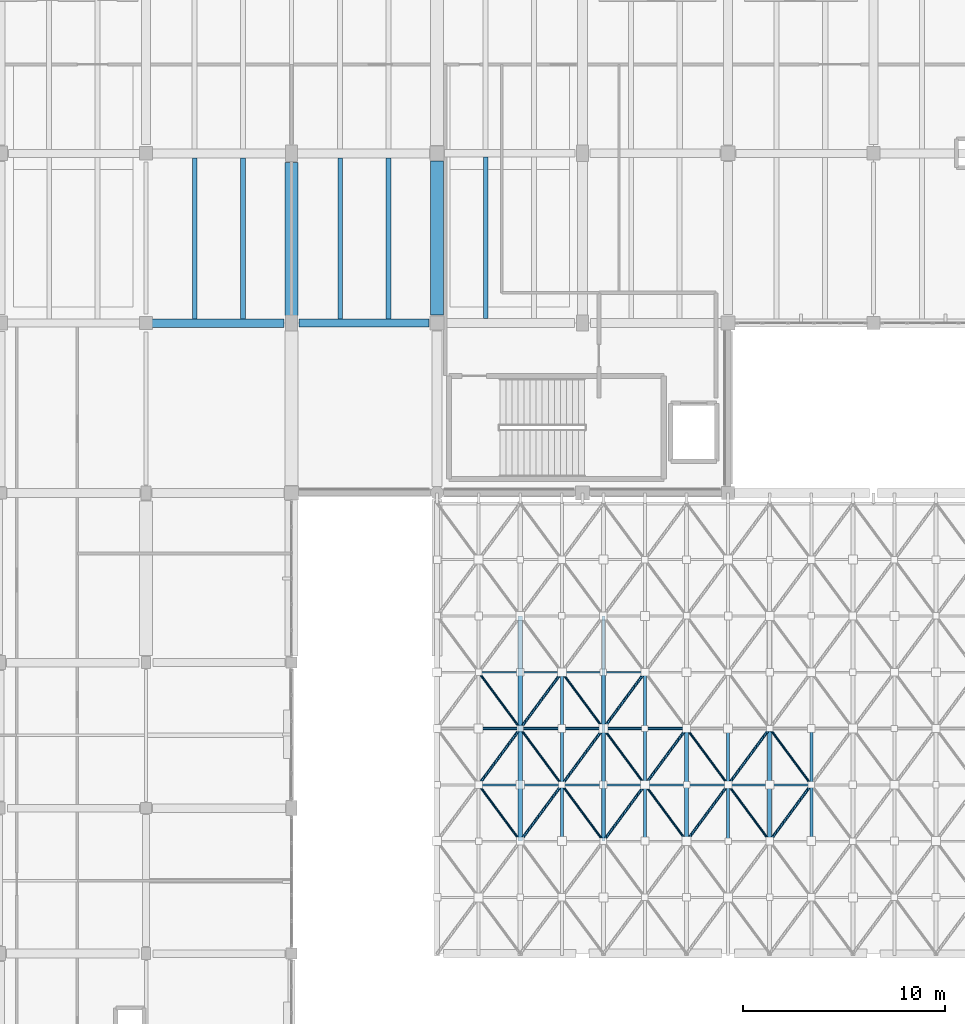
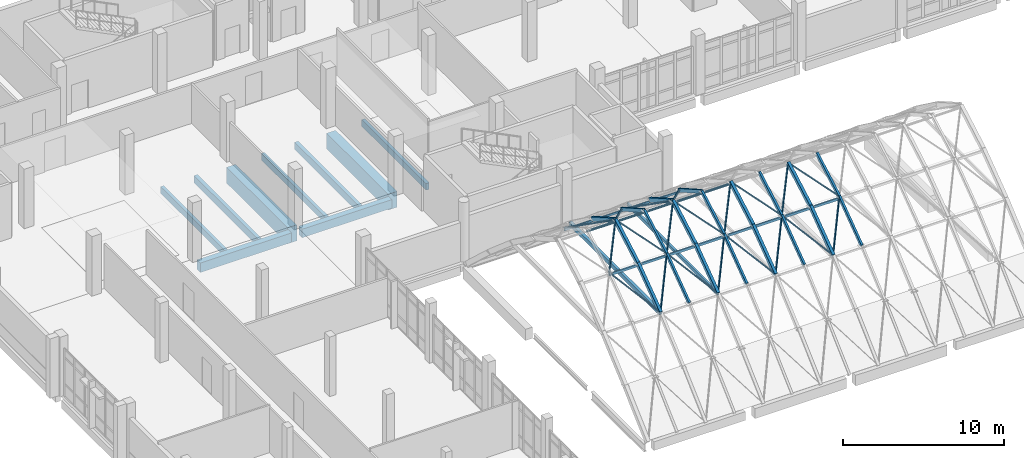
# One storey, part 36 of 87: 59 members, 9 beams.
"""IFC4 building model written with IfcOpenShell, lengths in metres."""

from ifc_helpers import new_model, si_unit, direction, frame, origin, origin_2d, place, context, subcontext, project, spatial, rectangle, hollow_rectangle, hollow_circle, extrude, material, material_profile, profile_set, type_object, element, save


model = new_model("IFC4")

# Units and contexts
model_context = context("Model", 3, precision=1e-05, world=origin(), true_north=direction((0.0, 1.0)))
body_context = subcontext(model_context, "Body", "Model", "MODEL_VIEW")
ifc_project = project(units=[si_unit("LENGTHUNIT", "METRE"), si_unit("AREAUNIT", "SQUARE_METRE"), si_unit("VOLUMEUNIT", "CUBIC_METRE"), si_unit("PLANEANGLEUNIT", "RADIAN"), si_unit("MASSUNIT", "GRAM", prefix="KILO")], contexts=[model_context])

# Site, building, storey
site_placement = place(None, origin())
site = spatial("IfcSite", under=ifc_project, at=site_placement, CompositionType="ELEMENT")
building_placement = place(site_placement, origin())
building = spatial("IfcBuilding", under=site, at=building_placement, Name="Kalluvel Institute of Natural Sciences", CompositionType="ELEMENT")
storey_placement = place(building_placement, frame((0.0, 0.0, 18.89990234375)))
storey = spatial("IfcBuildingStorey", under=building, at=storey_placement, Name="L04", CompositionType="ELEMENT", Elevation=18.89990234375)

# Beams
ifc_material_1 = material(Name="Concrete M40", Category="concrete")
ifc_material_profile_1 = material_profile(ifc_material_1, rectangle(XDim=0.39990234375, YDim=0.64990234375, at=origin_2d()), Name="RCB 400x650")
ifc_profile_set_1 = profile_set([ifc_material_profile_1], Name="Concrete M40")
beam_type_1 = type_object("IfcBeamType", Name="BM-RC400x650", PredefinedType="BEAM", material=ifc_profile_set_1)
beam_1_placement = place(storey_placement, frame((35.97509765625, 102.800048828125, -0.64501953125), z_axis=(1.0, 0.0, 0.0), x_axis=(0.0, 1.0, 0.0)))
element("IfcBeam", 1, at=beam_1_placement, inside=storey, type_object=beam_type_1, Name="L04 girder GIR-L04-EW-X356-Y1028", PredefinedType="BEAM", context=body_context, shape_type="SweptSolid", body=[
    extrude(rectangle(XDim=0.39990234375, YDim=0.64990234375, at=origin_2d()), origin(), (0.0, 0.0, 1.0), 6.4248046875),
])
ifc_material_profile_2 = material_profile(ifc_material_1, rectangle(XDim=0.419921875, YDim=0.719970703125, at=origin_2d()), Name="RCB 420x720")
ifc_profile_set_2 = profile_set([ifc_material_profile_2], Name="Concrete M40")
beam_type_2 = type_object("IfcBeamType", Name="BM-RC420x720", PredefinedType="BEAM", material=ifc_profile_set_2)
beam_2_placement = place(storey_placement, frame((28.699951171875, 102.800048828125, -0.679931640625), z_axis=(1.0, 0.0, 0.0), x_axis=(0.0, 1.0, 0.0)))
element("IfcBeam", 2, at=beam_2_placement, inside=storey, type_object=beam_type_2, Name="L04 girder GIR-L04-EW-X284-Y1028", PredefinedType="BEAM", context=body_context, shape_type="SweptSolid", body=[
    extrude(rectangle(XDim=0.419921875, YDim=0.719970703125, at=origin_2d()), origin(), (0.0, 0.0, 1.0), 6.525146484375),
])
ifc_material_2 = material(Name="Concrete M50", Category="concrete")
ifc_material_profile_3 = material_profile(ifc_material_2, rectangle(XDim=0.64990234375, YDim=1.199951171875, at=origin_2d()), Name="RCB 650x1200")
ifc_profile_set_3 = profile_set([ifc_material_profile_3], Name="Concrete M50")
beam_type_3 = type_object("IfcBeamType", Name="BM-RC650x1200", PredefinedType="BEAM", material=ifc_profile_set_3)
beam_3_placement = place(storey_placement, frame((35.60009765625, 103.175048828125, -0.919921875), z_axis=(0.0, 1.0, 0.0), x_axis=(-1.0, 0.0, 0.0)))
element("IfcBeam", 3, at=beam_3_placement, inside=storey, type_object=beam_type_3, Name="L04 girder GIR-L04-NS-X356-Y1028", PredefinedType="BEAM", context=body_context, shape_type="SweptSolid", body=[
    extrude(rectangle(XDim=0.64990234375, YDim=1.199951171875, at=origin_2d()), origin(), (0.0, 0.0, 1.0), 7.574951171875),
])
beam_4_placement = place(storey_placement, frame((42.800048828125, 103.199951171875, -0.919921875), z_axis=(0.0, 1.0, 0.0), x_axis=(-1.0, 0.0, 0.0)))
element("IfcBeam", 4, at=beam_4_placement, inside=storey, type_object=beam_type_3, Name="L04 girder GIR-L04-NS-X428-Y1028", PredefinedType="BEAM", context=body_context, shape_type="SweptSolid", body=[
    extrude(rectangle(XDim=0.64990234375, YDim=1.199951171875, at=origin_2d()), origin(), (0.0, 0.0, 1.0), 7.625),
])

# Members
ifc_material_3 = material(Name="Steel E350 Grade 350", Category="steel")
ifc_material_profile_4 = material_profile(ifc_material_3, hollow_rectangle(XDim=0.14990234375, YDim=0.25, WallThickness=0.010009765625, at=origin_2d()), Name="RHS 250x150x10")
ifc_profile_set_4 = profile_set([ifc_material_profile_4], Name="Steel E350 Grade 350")
member_type_1 = type_object("IfcMemberType", Name="MB-ARCH-RHS250", PredefinedType="CHORD", material=ifc_profile_set_4)
member_1_placement = place(storey_placement, frame((51.028564453125, 77.169921875, 4.976806640625), z_axis=(0.0, 1.0, 0.0), x_axis=(-1.0, 0.0, 0.0)))
element("IfcMember", 5, at=member_1_placement, inside=storey, type_object=member_type_1, Name="Atrium gridshell Gothic collar tie chord 3", PredefinedType="CHORD", context=body_context, shape_type="SweptSolid", body=[
    extrude(hollow_rectangle(XDim=0.14990234375, YDim=0.25, WallThickness=0.010009765625, at=origin_2d()), origin(), (0.0, 0.0, 1.0), 11.14013671875),
])
ifc_material_profile_5 = material_profile(ifc_material_3, hollow_rectangle(XDim=0.199951171875, YDim=0.300048828125, WallThickness=0.011962890625, at=origin_2d()), Name="RHS 300x200x12")
ifc_profile_set_5 = profile_set([ifc_material_profile_5], Name="Steel E350 Grade 350")
member_type_2 = type_object("IfcMemberType", Name="MB-ARCH-RHS300", PredefinedType="CHORD", material=ifc_profile_set_5)
member_2_placement = place(storey_placement, frame((46.914306640625, 77.169921875, 4.976806640625), z_axis=(0.0, 1.0, 0.0), x_axis=(-1.0, 0.0, 0.0)))
element("IfcMember", 6, at=member_2_placement, inside=storey, type_object=member_type_2, Name="Atrium gridshell Gothic collar tie chord 2", PredefinedType="CHORD", context=body_context, shape_type="SweptSolid", body=[
    extrude(hollow_rectangle(XDim=0.199951171875, YDim=0.300048828125, WallThickness=0.011962890625, at=origin_2d()), origin(), (0.0, 0.0, 1.0), 11.14013671875),
])
ifc_material_profile_6 = material_profile(ifc_material_3, hollow_rectangle(XDim=0.14990234375, YDim=0.25, WallThickness=0.010009765625, at=origin_2d()), Name="RHS 250x150x10")
ifc_profile_set_6 = profile_set([ifc_material_profile_6], Name="Steel E350 Grade 350")
member_type_3 = type_object("IfcMemberType", Name="MB-ARCH-SEG250", PredefinedType="USERDEFINED", material=ifc_profile_set_6)
member_3_placement = place(storey_placement, frame((48.971435546875, 77.169921875, 4.976806640625), z_axis=(0.0, 0.806535340499, 0.591185879843), x_axis=(-1.0, 0.0, 0.0)))
element("IfcMember", 7, at=member_3_placement, inside=storey, type_object=member_type_3, Name="Atrium gridshell pointed arch segment 27", ObjectType="ARCH_SEGMENT", PredefinedType="USERDEFINED", context=body_context, shape_type="SweptSolid", body=[
    extrude(hollow_rectangle(XDim=0.14990234375, YDim=0.25, WallThickness=0.010009765625, at=origin_2d()), origin(), (0.0, 0.0, 1.0), 3.453125),
])
for number, where, z_axis, x_axis, name in (
    (8, (48.971435546875, 79.955078125, 7.018310546875), (0.0, 0.869530215722, 0.493879746442), (-1.0, 0.0, 0.0), "Atrium gridshell pointed arch segment 28"),
    (9, (48.971435546875, 82.739990234375, 8.60009765625), (0.0, 0.869530215722, -0.493879746442), (-1.0, 0.0, 0.0), "Atrium gridshell pointed arch segment 29"),
):
    element("IfcMember", number, at=place(storey_placement, frame(where, z_axis=z_axis, x_axis=x_axis)), inside=storey, type_object=member_type_3, Name=name, ObjectType="ARCH_SEGMENT", PredefinedType="USERDEFINED", context=body_context, shape_type="SweptSolid", body=[
        extrude(hollow_rectangle(XDim=0.14990234375, YDim=0.25, WallThickness=0.010009765625, at=origin_2d()), origin(), (0.0, 0.0, 1.0), 3.202880859375),
    ])
member_4_placement = place(storey_placement, frame((53.085693359375, 77.169921875, 4.976806640625), z_axis=(0.0, 0.806535340499, 0.591185879843), x_axis=(-1.0, 0.0, 0.0)))
element("IfcMember", 10, at=member_4_placement, inside=storey, type_object=member_type_3, Name="Atrium gridshell pointed arch segment 43", ObjectType="ARCH_SEGMENT", PredefinedType="USERDEFINED", context=body_context, shape_type="SweptSolid", body=[
    extrude(hollow_rectangle(XDim=0.14990234375, YDim=0.25, WallThickness=0.010009765625, at=origin_2d()), origin(), (0.0, 0.0, 1.0), 3.453125),
])
for number, where, z_axis, x_axis, name in (
    (11, (53.085693359375, 79.955078125, 7.018310546875), (0.0, 0.869530215722, 0.493879746442), (-1.0, 0.0, 0.0), "Atrium gridshell pointed arch segment 44"),
    (12, (53.085693359375, 82.739990234375, 8.60009765625), (0.0, 0.869530215722, -0.493879746442), (-1.0, 0.0, 0.0), "Atrium gridshell pointed arch segment 45"),
):
    element("IfcMember", number, at=place(storey_placement, frame(where, z_axis=z_axis, x_axis=x_axis)), inside=storey, type_object=member_type_3, Name=name, ObjectType="ARCH_SEGMENT", PredefinedType="USERDEFINED", context=body_context, shape_type="SweptSolid", body=[
        extrude(hollow_rectangle(XDim=0.14990234375, YDim=0.25, WallThickness=0.010009765625, at=origin_2d()), origin(), (0.0, 0.0, 1.0), 3.202880859375),
    ])
member_5_placement = place(storey_placement, frame((57.199951171875, 77.169921875, 4.976806640625), z_axis=(0.0, 0.806535340499, 0.591185879843), x_axis=(-1.0, 0.0, 0.0)))
element("IfcMember", 13, at=member_5_placement, inside=storey, type_object=member_type_3, Name="Atrium gridshell pointed arch segment 59", ObjectType="ARCH_SEGMENT", PredefinedType="USERDEFINED", context=body_context, shape_type="SweptSolid", body=[
    extrude(hollow_rectangle(XDim=0.14990234375, YDim=0.25, WallThickness=0.010009765625, at=origin_2d()), origin(), (0.0, 0.0, 1.0), 3.453125),
])
member_6_placement = place(storey_placement, frame((57.199951171875, 79.955078125, 7.018310546875), z_axis=(0.0, 0.869530215722, 0.493879746442), x_axis=(-1.0, 0.0, 0.0)))
element("IfcMember", 14, at=member_6_placement, inside=storey, type_object=member_type_3, Name="Atrium gridshell pointed arch segment 60", ObjectType="ARCH_SEGMENT", PredefinedType="USERDEFINED", context=body_context, shape_type="SweptSolid", body=[
    extrude(hollow_rectangle(XDim=0.14990234375, YDim=0.25, WallThickness=0.010009765625, at=origin_2d()), origin(), (0.0, 0.0, 1.0), 3.202880859375),
])
member_7_placement = place(storey_placement, frame((61.314208984375, 77.169921875, 4.976806640625), z_axis=(0.0, 0.806535340499, 0.591185879843), x_axis=(-1.0, 0.0, 0.0)))
element("IfcMember", 15, at=member_7_placement, inside=storey, type_object=member_type_3, Name="Atrium gridshell pointed arch segment 75", ObjectType="ARCH_SEGMENT", PredefinedType="USERDEFINED", context=body_context, shape_type="SweptSolid", body=[
    extrude(hollow_rectangle(XDim=0.14990234375, YDim=0.25, WallThickness=0.010009765625, at=origin_2d()), origin(), (0.0, 0.0, 1.0), 3.453125),
])
member_8_placement = place(storey_placement, frame((61.314208984375, 79.955078125, 7.018310546875), z_axis=(0.0, 0.869530215722, 0.493879746442), x_axis=(-1.0, 0.0, 0.0)))
element("IfcMember", 16, at=member_8_placement, inside=storey, type_object=member_type_3, Name="Atrium gridshell pointed arch segment 76", ObjectType="ARCH_SEGMENT", PredefinedType="USERDEFINED", context=body_context, shape_type="SweptSolid", body=[
    extrude(hollow_rectangle(XDim=0.14990234375, YDim=0.25, WallThickness=0.010009765625, at=origin_2d()), origin(), (0.0, 0.0, 1.0), 3.202880859375),
])
ifc_material_profile_7 = material_profile(ifc_material_3, hollow_rectangle(XDim=0.199951171875, YDim=0.300048828125, WallThickness=0.011962890625, at=origin_2d()), Name="RHS 300x200x12")
ifc_profile_set_7 = profile_set([ifc_material_profile_7], Name="Steel E350 Grade 350")
member_type_4 = type_object("IfcMemberType", Name="MB-ARCH-SEG300", PredefinedType="USERDEFINED", material=ifc_profile_set_7)
member_9_placement = place(storey_placement, frame((46.914306640625, 77.169921875, 4.976806640625), z_axis=(0.0, 0.806535340499, 0.591185879843), x_axis=(-1.0, 0.0, 0.0)))
element("IfcMember", 17, at=member_9_placement, inside=storey, type_object=member_type_4, Name="Atrium gridshell pointed arch segment 19", ObjectType="ARCH_SEGMENT", PredefinedType="USERDEFINED", context=body_context, shape_type="SweptSolid", body=[
    extrude(hollow_rectangle(XDim=0.199951171875, YDim=0.300048828125, WallThickness=0.011962890625, at=origin_2d()), origin(), (0.0, 0.0, 1.0), 3.453125),
])
for number, where, z_axis, x_axis, name in (
    (18, (46.914306640625, 79.955078125, 7.018310546875), (0.0, 0.869530215722, 0.493879746442), (-1.0, 0.0, 0.0), "Atrium gridshell pointed arch segment 20"),
    (19, (46.914306640625, 82.739990234375, 8.60009765625), (0.0, 0.869530215722, -0.493879746442), (-1.0, 0.0, 0.0), "Atrium gridshell pointed arch segment 21"),
):
    element("IfcMember", number, at=place(storey_placement, frame(where, z_axis=z_axis, x_axis=x_axis)), inside=storey, type_object=member_type_4, Name=name, ObjectType="ARCH_SEGMENT", PredefinedType="USERDEFINED", context=body_context, shape_type="SweptSolid", body=[
        extrude(hollow_rectangle(XDim=0.199951171875, YDim=0.300048828125, WallThickness=0.011962890625, at=origin_2d()), origin(), (0.0, 0.0, 1.0), 3.202880859375),
    ])
member_10_placement = place(storey_placement, frame((51.028564453125, 77.169921875, 4.976806640625), z_axis=(0.0, 0.806535340499, 0.591185879843), x_axis=(-1.0, 0.0, 0.0)))
element("IfcMember", 20, at=member_10_placement, inside=storey, type_object=member_type_4, Name="Atrium gridshell pointed arch segment 35", ObjectType="ARCH_SEGMENT", PredefinedType="USERDEFINED", context=body_context, shape_type="SweptSolid", body=[
    extrude(hollow_rectangle(XDim=0.199951171875, YDim=0.300048828125, WallThickness=0.011962890625, at=origin_2d()), origin(), (0.0, 0.0, 1.0), 3.453125),
])
for number, where, z_axis, x_axis, name in (
    (21, (51.028564453125, 79.955078125, 7.018310546875), (0.0, 0.869530215722, 0.493879746442), (-1.0, 0.0, 0.0), "Atrium gridshell pointed arch segment 36"),
    (22, (51.028564453125, 82.739990234375, 8.60009765625), (0.0, 0.869530215722, -0.493879746442), (-1.0, 0.0, 0.0), "Atrium gridshell pointed arch segment 37"),
):
    element("IfcMember", number, at=place(storey_placement, frame(where, z_axis=z_axis, x_axis=x_axis)), inside=storey, type_object=member_type_4, Name=name, ObjectType="ARCH_SEGMENT", PredefinedType="USERDEFINED", context=body_context, shape_type="SweptSolid", body=[
        extrude(hollow_rectangle(XDim=0.199951171875, YDim=0.300048828125, WallThickness=0.011962890625, at=origin_2d()), origin(), (0.0, 0.0, 1.0), 3.202880859375),
    ])
member_11_placement = place(storey_placement, frame((55.142822265625, 77.169921875, 4.976806640625), z_axis=(0.0, 0.806535340499, 0.591185879843), x_axis=(-1.0, 0.0, 0.0)))
element("IfcMember", 23, at=member_11_placement, inside=storey, type_object=member_type_4, Name="Atrium gridshell pointed arch segment 51", ObjectType="ARCH_SEGMENT", PredefinedType="USERDEFINED", context=body_context, shape_type="SweptSolid", body=[
    extrude(hollow_rectangle(XDim=0.199951171875, YDim=0.300048828125, WallThickness=0.011962890625, at=origin_2d()), origin(), (0.0, 0.0, 1.0), 3.453125),
])
member_12_placement = place(storey_placement, frame((55.142822265625, 79.955078125, 7.018310546875), z_axis=(0.0, 0.869530215722, 0.493879746442), x_axis=(-1.0, 0.0, 0.0)))
element("IfcMember", 24, at=member_12_placement, inside=storey, type_object=member_type_4, Name="Atrium gridshell pointed arch segment 52", ObjectType="ARCH_SEGMENT", PredefinedType="USERDEFINED", context=body_context, shape_type="SweptSolid", body=[
    extrude(hollow_rectangle(XDim=0.199951171875, YDim=0.300048828125, WallThickness=0.011962890625, at=origin_2d()), origin(), (0.0, 0.0, 1.0), 3.202880859375),
])
member_13_placement = place(storey_placement, frame((59.257080078125, 77.169921875, 4.976806640625), z_axis=(0.0, 0.806535340499, 0.591185879843), x_axis=(-1.0, 0.0, 0.0)))
element("IfcMember", 25, at=member_13_placement, inside=storey, type_object=member_type_4, Name="Atrium gridshell pointed arch segment 67", ObjectType="ARCH_SEGMENT", PredefinedType="USERDEFINED", context=body_context, shape_type="SweptSolid", body=[
    extrude(hollow_rectangle(XDim=0.199951171875, YDim=0.300048828125, WallThickness=0.011962890625, at=origin_2d()), origin(), (0.0, 0.0, 1.0), 3.453125),
])
member_14_placement = place(storey_placement, frame((59.257080078125, 79.955078125, 7.018310546875), z_axis=(0.0, 0.869530215722, 0.493879746442), x_axis=(-1.0, 0.0, 0.0)))
element("IfcMember", 26, at=member_14_placement, inside=storey, type_object=member_type_4, Name="Atrium gridshell pointed arch segment 68", ObjectType="ARCH_SEGMENT", PredefinedType="USERDEFINED", context=body_context, shape_type="SweptSolid", body=[
    extrude(hollow_rectangle(XDim=0.199951171875, YDim=0.300048828125, WallThickness=0.011962890625, at=origin_2d()), origin(), (0.0, 0.0, 1.0), 3.202880859375),
])
ifc_material_profile_8 = material_profile(ifc_material_3, hollow_circle(Radius=0.05712890625, WallThickness=0.006103515625, at=origin_2d()), Name="CHS 114.3x6.0")
ifc_profile_set_8 = profile_set([ifc_material_profile_8], Name="Steel E350 Grade 350")
member_type_5 = type_object("IfcMemberType", Name="MB-BR-CHS114", PredefinedType="BRACE", material=ifc_profile_set_8)
member_15_placement = place(storey_placement, frame((46.914306640625, 77.169921875, 4.996826171875), z_axis=(-0.51178357928, 0.692906132498, 0.507896307849), x_axis=(-0.804378315597, -0.594117434013, 0.0)))
element("IfcMember", 27, at=member_15_placement, inside=storey, type_object=member_type_5, Name="Atrium gridshell diagonal brace 11", PredefinedType="BRACE", context=body_context, shape_type="SweptSolid", body=[
    extrude(hollow_circle(Radius=0.05712890625, WallThickness=0.006103515625, at=origin_2d()), origin(), (0.0, 0.0, 1.0), 4.01953125),
])
for number, where, z_axis, x_axis, name in (
    (28, (46.914306640625, 82.739990234375, 8.6201171875), (-0.540423006608, 0.731617046805, -0.415547194376), (-0.804353425168, -0.594151131802, 0.0), "Atrium gridshell diagonal brace 13"),
    (29, (48.971435546875, 79.955078125, 7.038330078125), (-0.540423006608, 0.731617046805, 0.415547194376), (-0.804353425168, -0.594151131802, 0.0), "Atrium gridshell diagonal brace 20"),
):
    element("IfcMember", number, at=place(storey_placement, frame(where, z_axis=z_axis, x_axis=x_axis)), inside=storey, type_object=member_type_5, Name=name, PredefinedType="BRACE", context=body_context, shape_type="SweptSolid", body=[
        extrude(hollow_circle(Radius=0.05712890625, WallThickness=0.006103515625, at=origin_2d()), origin(), (0.0, 0.0, 1.0), 3.806396484375),
    ])
member_16_placement = place(storey_placement, frame((51.028564453125, 77.169921875, 4.996826171875), z_axis=(-0.51178357928, 0.692906132498, 0.507896307849), x_axis=(-0.804378315597, -0.594117434013, 0.0)))
element("IfcMember", 30, at=member_16_placement, inside=storey, type_object=member_type_5, Name="Atrium gridshell diagonal brace 27", PredefinedType="BRACE", context=body_context, shape_type="SweptSolid", body=[
    extrude(hollow_circle(Radius=0.05712890625, WallThickness=0.006103515625, at=origin_2d()), origin(), (0.0, 0.0, 1.0), 4.01953125),
])
for number, where, z_axis, x_axis, name in (
    (31, (51.028564453125, 82.739990234375, 8.6201171875), (-0.540423006608, 0.731617046805, -0.415547194376), (-0.804353425168, -0.594151131802, 0.0), "Atrium gridshell diagonal brace 29"),
    (32, (53.085693359375, 79.955078125, 7.038330078125), (-0.540423006608, 0.731617046805, 0.415547194376), (-0.804353425168, -0.594151131802, 0.0), "Atrium gridshell diagonal brace 36"),
):
    element("IfcMember", number, at=place(storey_placement, frame(where, z_axis=z_axis, x_axis=x_axis)), inside=storey, type_object=member_type_5, Name=name, PredefinedType="BRACE", context=body_context, shape_type="SweptSolid", body=[
        extrude(hollow_circle(Radius=0.05712890625, WallThickness=0.006103515625, at=origin_2d()), origin(), (0.0, 0.0, 1.0), 3.806396484375),
    ])
member_17_placement = place(storey_placement, frame((55.142822265625, 77.169921875, 4.996826171875), z_axis=(-0.51178357928, 0.692906132498, 0.507896307849), x_axis=(-0.804378315597, -0.594117434013, 0.0)))
element("IfcMember", 33, at=member_17_placement, inside=storey, type_object=member_type_5, Name="Atrium gridshell diagonal brace 43", PredefinedType="BRACE", context=body_context, shape_type="SweptSolid", body=[
    extrude(hollow_circle(Radius=0.05712890625, WallThickness=0.006103515625, at=origin_2d()), origin(), (0.0, 0.0, 1.0), 4.01953125),
])
member_18_placement = place(storey_placement, frame((57.199951171875, 79.955078125, 7.038330078125), z_axis=(-0.540423006608, 0.731617046805, 0.415547194376), x_axis=(-0.804353425168, -0.594151131802, 0.0)))
element("IfcMember", 34, at=member_18_placement, inside=storey, type_object=member_type_5, Name="Atrium gridshell diagonal brace 52", PredefinedType="BRACE", context=body_context, shape_type="SweptSolid", body=[
    extrude(hollow_circle(Radius=0.05712890625, WallThickness=0.006103515625, at=origin_2d()), origin(), (0.0, 0.0, 1.0), 3.806396484375),
])
member_19_placement = place(storey_placement, frame((59.257080078125, 77.169921875, 4.996826171875), z_axis=(-0.51178357928, 0.692906132498, 0.507896307849), x_axis=(-0.804378315597, -0.594117434013, 0.0)))
element("IfcMember", 35, at=member_19_placement, inside=storey, type_object=member_type_5, Name="Atrium gridshell diagonal brace 59", PredefinedType="BRACE", context=body_context, shape_type="SweptSolid", body=[
    extrude(hollow_circle(Radius=0.05712890625, WallThickness=0.006103515625, at=origin_2d()), origin(), (0.0, 0.0, 1.0), 4.01953125),
])
member_20_placement = place(storey_placement, frame((61.314208984375, 79.955078125, 7.038330078125), z_axis=(-0.540423006608, 0.731617046805, 0.415547194376), x_axis=(-0.804353425168, -0.594151131802, 0.0)))
element("IfcMember", 36, at=member_20_placement, inside=storey, type_object=member_type_5, Name="Atrium gridshell diagonal brace 68", PredefinedType="BRACE", context=body_context, shape_type="SweptSolid", body=[
    extrude(hollow_circle(Radius=0.05712890625, WallThickness=0.006103515625, at=origin_2d()), origin(), (0.0, 0.0, 1.0), 3.806396484375),
])
ifc_material_profile_9 = material_profile(ifc_material_3, hollow_circle(Radius=0.06982421875, WallThickness=0.008056640625, at=origin_2d()), Name="CHS 139.7x8.0")
ifc_profile_set_9 = profile_set([ifc_material_profile_9], Name="Steel E350 Grade 350")
member_type_6 = type_object("IfcMemberType", Name="MB-BR-CHS139", PredefinedType="BRACE", material=ifc_profile_set_9)
member_21_placement = place(storey_placement, frame((44.857177734375, 79.955078125, 7.038330078125), z_axis=(0.540423006608, 0.731617046805, 0.415547194376), x_axis=(-0.804353425168, 0.594151131802, 0.0)))
element("IfcMember", 37, at=member_21_placement, inside=storey, type_object=member_type_6, Name="Atrium gridshell diagonal brace 12", PredefinedType="BRACE", context=body_context, shape_type="SweptSolid", body=[
    extrude(hollow_circle(Radius=0.06982421875, WallThickness=0.008056640625, at=origin_2d()), origin(), (0.0, 0.0, 1.0), 3.806396484375),
])
member_22_placement = place(storey_placement, frame((46.914306640625, 77.169921875, 4.996826171875), z_axis=(0.51178357928, 0.692906132498, 0.507896307849), x_axis=(-0.804378315597, 0.594117434013, 0.0)))
element("IfcMember", 38, at=member_22_placement, inside=storey, type_object=member_type_6, Name="Atrium gridshell diagonal brace 19", PredefinedType="BRACE", context=body_context, shape_type="SweptSolid", body=[
    extrude(hollow_circle(Radius=0.06982421875, WallThickness=0.008056640625, at=origin_2d()), origin(), (0.0, 0.0, 1.0), 4.01953125),
])
for number, where, z_axis, x_axis, name in (
    (39, (46.914306640625, 82.739990234375, 8.6201171875), (0.540423006608, 0.731617046805, -0.415547194376), (-0.804353425168, 0.594151131802, 0.0), "Atrium gridshell diagonal brace 21"),
    (40, (48.971435546875, 79.955078125, 7.038330078125), (0.540423006608, 0.731617046805, 0.415547194376), (-0.804353425168, 0.594151131802, 0.0), "Atrium gridshell diagonal brace 28"),
):
    element("IfcMember", number, at=place(storey_placement, frame(where, z_axis=z_axis, x_axis=x_axis)), inside=storey, type_object=member_type_6, Name=name, PredefinedType="BRACE", context=body_context, shape_type="SweptSolid", body=[
        extrude(hollow_circle(Radius=0.06982421875, WallThickness=0.008056640625, at=origin_2d()), origin(), (0.0, 0.0, 1.0), 3.806396484375),
    ])
member_23_placement = place(storey_placement, frame((51.028564453125, 77.169921875, 4.996826171875), z_axis=(0.51178357928, 0.692906132498, 0.507896307849), x_axis=(-0.804378315597, 0.594117434013, 0.0)))
element("IfcMember", 41, at=member_23_placement, inside=storey, type_object=member_type_6, Name="Atrium gridshell diagonal brace 35", PredefinedType="BRACE", context=body_context, shape_type="SweptSolid", body=[
    extrude(hollow_circle(Radius=0.06982421875, WallThickness=0.008056640625, at=origin_2d()), origin(), (0.0, 0.0, 1.0), 4.01953125),
])
for number, where, z_axis, x_axis, name in (
    (42, (51.028564453125, 82.739990234375, 8.6201171875), (0.540423006608, 0.731617046805, -0.415547194376), (-0.804353425168, 0.594151131802, 0.0), "Atrium gridshell diagonal brace 37"),
    (43, (53.085693359375, 79.955078125, 7.038330078125), (0.540423006608, 0.731617046805, 0.415547194376), (-0.804353425168, 0.594151131802, 0.0), "Atrium gridshell diagonal brace 44"),
):
    element("IfcMember", number, at=place(storey_placement, frame(where, z_axis=z_axis, x_axis=x_axis)), inside=storey, type_object=member_type_6, Name=name, PredefinedType="BRACE", context=body_context, shape_type="SweptSolid", body=[
        extrude(hollow_circle(Radius=0.06982421875, WallThickness=0.008056640625, at=origin_2d()), origin(), (0.0, 0.0, 1.0), 3.806396484375),
    ])
member_24_placement = place(storey_placement, frame((55.142822265625, 77.169921875, 4.996826171875), z_axis=(0.51178357928, 0.692906132498, 0.507896307849), x_axis=(-0.804378315597, 0.594117434013, 0.0)))
element("IfcMember", 44, at=member_24_placement, inside=storey, type_object=member_type_6, Name="Atrium gridshell diagonal brace 51", PredefinedType="BRACE", context=body_context, shape_type="SweptSolid", body=[
    extrude(hollow_circle(Radius=0.06982421875, WallThickness=0.008056640625, at=origin_2d()), origin(), (0.0, 0.0, 1.0), 4.01953125),
])
member_25_placement = place(storey_placement, frame((57.199951171875, 79.955078125, 7.038330078125), z_axis=(0.540423006608, 0.731617046805, 0.415547194376), x_axis=(-0.804353425168, 0.594151131802, 0.0)))
element("IfcMember", 45, at=member_25_placement, inside=storey, type_object=member_type_6, Name="Atrium gridshell diagonal brace 60", PredefinedType="BRACE", context=body_context, shape_type="SweptSolid", body=[
    extrude(hollow_circle(Radius=0.06982421875, WallThickness=0.008056640625, at=origin_2d()), origin(), (0.0, 0.0, 1.0), 3.806396484375),
])
member_26_placement = place(storey_placement, frame((59.257080078125, 77.169921875, 4.996826171875), z_axis=(0.51178357928, 0.692906132498, 0.507896307849), x_axis=(-0.804378315597, 0.594117434013, 0.0)))
element("IfcMember", 46, at=member_26_placement, inside=storey, type_object=member_type_6, Name="Atrium gridshell diagonal brace 67", PredefinedType="BRACE", context=body_context, shape_type="SweptSolid", body=[
    extrude(hollow_circle(Radius=0.06982421875, WallThickness=0.008056640625, at=origin_2d()), origin(), (0.0, 0.0, 1.0), 4.01953125),
])
ifc_material_profile_10 = material_profile(ifc_material_3, hollow_circle(Radius=0.084228515625, WallThickness=0.010009765625, at=origin_2d()), Name="CHS 168.3x10.0")
ifc_profile_set_10 = profile_set([ifc_material_profile_10], Name="Steel E350 Grade 350")
member_type_7 = type_object("IfcMemberType", Name="MB-PURL-CHS168", PredefinedType="PURLIN", material=ifc_profile_set_10)
for number, where, z_axis, x_axis, name in (
    (47, (44.857177734375, 82.739990234375, 8.460205078125), (1.0, 0.0, 0.0), (0.0, 1.0, 0.0), "Atrium gridshell longitudinal purlin 11"),
    (48, (46.914306640625, 82.739990234375, 8.460205078125), (1.0, 0.0, 0.0), (0.0, 1.0, 0.0), "Atrium gridshell longitudinal purlin 18"),
    (49, (48.971435546875, 82.739990234375, 8.460205078125), (1.0, 0.0, 0.0), (0.0, 1.0, 0.0), "Atrium gridshell longitudinal purlin 25"),
    (50, (51.028564453125, 82.739990234375, 8.460205078125), (1.0, 0.0, 0.0), (0.0, 1.0, 0.0), "Atrium gridshell longitudinal purlin 32"),
    (51, (53.085693359375, 82.739990234375, 8.460205078125), (1.0, 0.0, 0.0), (0.0, 1.0, 0.0), "Atrium gridshell longitudinal purlin 39"),
):
    element("IfcMember", number, at=place(storey_placement, frame(where, z_axis=z_axis, x_axis=x_axis)), inside=storey, type_object=member_type_7, Name=name, PredefinedType="PURLIN", context=body_context, shape_type="SweptSolid", body=[
        extrude(hollow_circle(Radius=0.084228515625, WallThickness=0.010009765625, at=origin_2d()), origin(), (0.0, 0.0, 1.0), 2.05712890625),
    ])
ifc_material_profile_11 = material_profile(ifc_material_3, hollow_rectangle(XDim=0.080078125, YDim=0.139892578125, WallThickness=0.006103515625, at=origin_2d()), Name="RHS 140x80x6")
ifc_profile_set_11 = profile_set([ifc_material_profile_11], Name="Steel E350 Grade 350")
member_type_8 = type_object("IfcMemberType", Name="MB-PURL-RHS140", PredefinedType="PURLIN", material=ifc_profile_set_11)
for number, where, z_axis, x_axis, name in (
    (52, (44.857177734375, 85.52490234375, 6.87841796875), (1.0, 0.0, 0.0), (0.0, 1.0, 0.0), "Atrium gridshell longitudinal purlin 12"),
    (53, (46.914306640625, 85.52490234375, 6.87841796875), (1.0, 0.0, 0.0), (0.0, 1.0, 0.0), "Atrium gridshell longitudinal purlin 19"),
    (54, (48.971435546875, 85.52490234375, 6.87841796875), (1.0, 0.0, 0.0), (0.0, 1.0, 0.0), "Atrium gridshell longitudinal purlin 26"),
    (55, (51.028564453125, 85.52490234375, 6.87841796875), (1.0, 0.0, 0.0), (0.0, 1.0, 0.0), "Atrium gridshell longitudinal purlin 33"),
):
    element("IfcMember", number, at=place(storey_placement, frame(where, z_axis=z_axis, x_axis=x_axis)), inside=storey, type_object=member_type_8, Name=name, PredefinedType="PURLIN", context=body_context, shape_type="SweptSolid", body=[
        extrude(hollow_rectangle(XDim=0.080078125, YDim=0.139892578125, WallThickness=0.006103515625, at=origin_2d()), origin(), (0.0, 0.0, 1.0), 2.05712890625),
    ])
ifc_material_profile_12 = material_profile(ifc_material_3, hollow_rectangle(XDim=0.10009765625, YDim=0.179931640625, WallThickness=0.008056640625, at=origin_2d()), Name="RHS 180x100x8")
ifc_profile_set_12 = profile_set([ifc_material_profile_12], Name="Steel E350 Grade 350")
member_type_9 = type_object("IfcMemberType", Name="MB-PURL-RHS180", PredefinedType="PURLIN", material=ifc_profile_set_12)
for number, where, z_axis, x_axis, name in (
    (56, (44.857177734375, 79.955078125, 6.87841796875), (1.0, 0.0, 0.0), (0.0, 1.0, 0.0), "Atrium gridshell longitudinal purlin 10"),
    (57, (46.914306640625, 79.955078125, 6.87841796875), (1.0, 0.0, 0.0), (0.0, 1.0, 0.0), "Atrium gridshell longitudinal purlin 17"),
    (58, (48.971435546875, 79.955078125, 6.87841796875), (1.0, 0.0, 0.0), (0.0, 1.0, 0.0), "Atrium gridshell longitudinal purlin 24"),
    (59, (51.028564453125, 79.955078125, 6.87841796875), (1.0, 0.0, 0.0), (0.0, 1.0, 0.0), "Atrium gridshell longitudinal purlin 31"),
    (60, (53.085693359375, 79.955078125, 6.87841796875), (1.0, 0.0, 0.0), (0.0, 1.0, 0.0), "Atrium gridshell longitudinal purlin 38"),
    (61, (55.142822265625, 79.955078125, 6.87841796875), (1.0, 0.0, 0.0), (0.0, 1.0, 0.0), "Atrium gridshell longitudinal purlin 45"),
    (62, (57.199951171875, 79.955078125, 6.87841796875), (1.0, 0.0, 0.0), (0.0, 1.0, 0.0), "Atrium gridshell longitudinal purlin 52"),
    (63, (59.257080078125, 79.955078125, 6.87841796875), (1.0, 0.0, 0.0), (0.0, 1.0, 0.0), "Atrium gridshell longitudinal purlin 59"),
):
    element("IfcMember", number, at=place(storey_placement, frame(where, z_axis=z_axis, x_axis=x_axis)), inside=storey, type_object=member_type_9, Name=name, PredefinedType="PURLIN", context=body_context, shape_type="SweptSolid", body=[
        extrude(hollow_rectangle(XDim=0.10009765625, YDim=0.179931640625, WallThickness=0.008056640625, at=origin_2d()), origin(), (0.0, 0.0, 1.0), 2.05712890625),
    ])

# Beams
ifc_material_profile_13 = material_profile(ifc_material_1, rectangle(XDim=0.219970703125, YDim=0.5, at=origin_2d()), Name="WAF 220x500")
ifc_profile_set_13 = profile_set([ifc_material_profile_13], Name="Concrete M40")
beam_type_4 = type_object("IfcBeamType", Name="WJ-220x500", PredefinedType="JOIST", material=ifc_profile_set_13)
beam_5_placement = place(storey_placement, frame((30.800048828125, 103.010009765625, -0.56982421875), z_axis=(0.0, 1.0, 0.0), x_axis=(-1.0, 0.0, 0.0)))
element("IfcBeam", 64, at=beam_5_placement, inside=storey, type_object=beam_type_4, Name="L04 waffle joist RIB-L04-0303", PredefinedType="JOIST", context=body_context, shape_type="SweptSolid", body=[
    extrude(rectangle(XDim=0.219970703125, YDim=0.5, at=origin_2d()), origin(), (0.0, 0.0, 1.0), 7.965087890625),
])
beam_6_placement = place(storey_placement, frame((38.0, 103.0, -0.56982421875), z_axis=(0.0, 1.0, 0.0), x_axis=(-1.0, 0.0, 0.0)))
element("IfcBeam", 65, at=beam_6_placement, inside=storey, type_object=beam_type_4, Name="L04 waffle joist RIB-L04-0308", PredefinedType="JOIST", context=body_context, shape_type="SweptSolid", body=[
    extrude(rectangle(XDim=0.219970703125, YDim=0.5, at=origin_2d()), origin(), (0.0, 0.0, 1.0), 7.97509765625),
])
beam_7_placement = place(storey_placement, frame((45.199951171875, 103.02490234375, -0.56982421875), z_axis=(0.0, 1.0, 0.0), x_axis=(-1.0, 0.0, 0.0)))
element("IfcBeam", 66, at=beam_7_placement, inside=storey, type_object=beam_type_4, Name="L04 waffle joist RIB-L04-0313", PredefinedType="JOIST", context=body_context, shape_type="SweptSolid", body=[
    extrude(rectangle(XDim=0.219970703125, YDim=0.5, at=origin_2d()), origin(), (0.0, 0.0, 1.0), 7.985107421875),
])
ifc_material_profile_14 = material_profile(ifc_material_1, rectangle(XDim=0.25, YDim=0.550048828125, at=origin_2d()), Name="WAF 250x550")
ifc_profile_set_14 = profile_set([ifc_material_profile_14], Name="Concrete M40")
beam_type_5 = type_object("IfcBeamType", Name="WJ-250x550", PredefinedType="JOIST", material=ifc_profile_set_14)
beam_8_placement = place(storey_placement, frame((33.199951171875, 103.010009765625, -0.594970703125), z_axis=(0.0, 1.0, 0.0), x_axis=(-1.0, 0.0, 0.0)))
element("IfcBeam", 67, at=beam_8_placement, inside=storey, type_object=beam_type_5, Name="L04 waffle joist RIB-L04-0304", PredefinedType="JOIST", context=body_context, shape_type="SweptSolid", body=[
    extrude(rectangle(XDim=0.25, YDim=0.550048828125, at=origin_2d()), origin(), (0.0, 0.0, 1.0), 7.965087890625),
])
beam_9_placement = place(storey_placement, frame((40.39990234375, 103.0, -0.594970703125), z_axis=(0.0, 1.0, 0.0), x_axis=(-1.0, 0.0, 0.0)))
element("IfcBeam", 68, at=beam_9_placement, inside=storey, type_object=beam_type_5, Name="L04 waffle joist RIB-L04-0309", PredefinedType="JOIST", context=body_context, shape_type="SweptSolid", body=[
    extrude(rectangle(XDim=0.25, YDim=0.550048828125, at=origin_2d()), origin(), (0.0, 0.0, 1.0), 7.97509765625),
])

save(model, "model.ifc")
